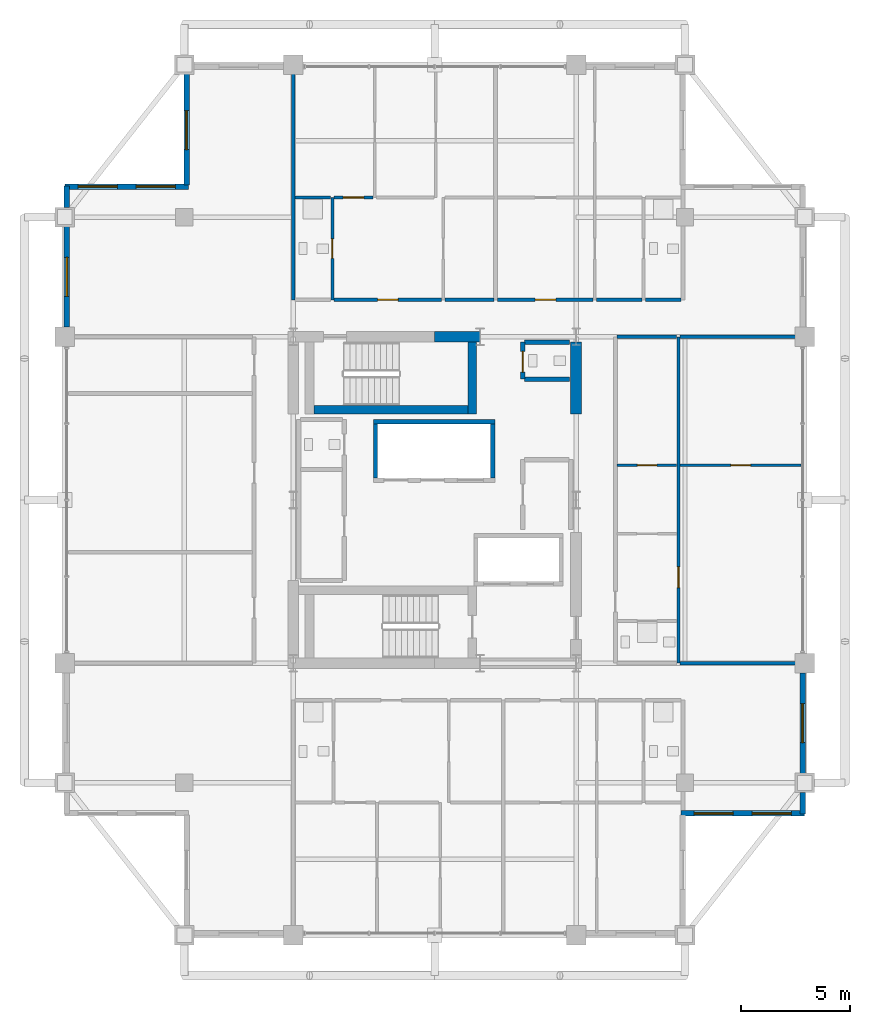
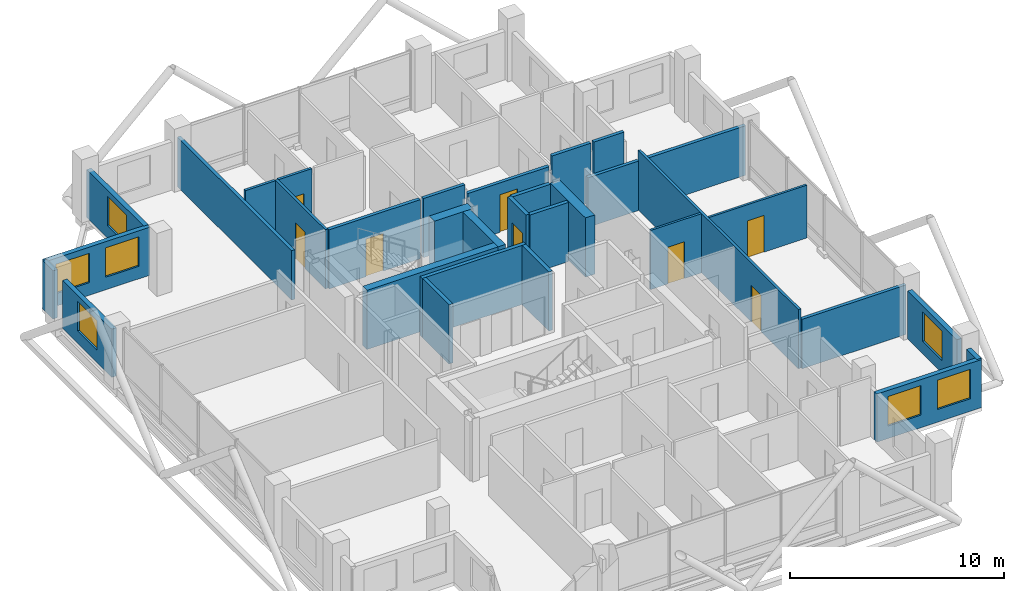
# One storey, part 21 of 24: 32 walls, 8 doors, 7 windows, 15 openings.
"""IFC4 building model written with IfcOpenShell, lengths in metres."""

from ifc_helpers import new_model, si_unit, direction, frame, frame_2d, origin, place, context, subcontext, project, spatial, rectangle, extrude, material, layer, layer_set, type_object, element, fill, save


model = new_model("IFC4")

# Units and contexts
model_context = context("Model", 3, precision=1e-05, world=origin(), true_north=direction((0.0, 1.0)))
body_context = subcontext(model_context, "Body", "Model", "MODEL_VIEW")
ifc_project = project(units=[si_unit("LENGTHUNIT", "METRE"), si_unit("AREAUNIT", "SQUARE_METRE"), si_unit("VOLUMEUNIT", "CUBIC_METRE"), si_unit("PLANEANGLEUNIT", "RADIAN"), si_unit("MASSUNIT", "GRAM", prefix="KILO")], contexts=[model_context])

# Site, building, storey
site_placement = place(None, origin())
site = spatial("IfcSite", under=ifc_project, at=site_placement, CompositionType="ELEMENT")
building_placement = place(site_placement, origin())
building = spatial("IfcBuilding", under=site, at=building_placement, Name="Barlavira Tower and Art Museum", CompositionType="ELEMENT")
storey_placement = place(building_placement, frame((0.0, 0.0, 240.300048828125)))
storey = spatial("IfcBuildingStorey", under=building, at=storey_placement, Name="L62", CompositionType="ELEMENT", Elevation=240.300048828125)

# Wall, opening, door
ifc_material_1 = material(Name="Gypsum acoustic stud partition", Category="gypsum")
ifc_layer_1 = layer(ifc_material_1, 0.1201171875, Name="Gypsum acoustic stud partition")
ifc_layer_set_1 = layer_set([ifc_layer_1], Name="Gypsum acoustic stud partition")
wall_type_1 = type_object("IfcWallType", Name="Apartment Internal Acoustic Partition 120", PredefinedType="PARTITIONING", material=ifc_layer_set_1)
wall_1_placement = place(storey_placement, frame((8.3798828125, 1.60009765625, 0.0), z_axis=(0.0, 0.0, 1.0), x_axis=(1.0, 0.0, 0.0)))
wall_1 = element("IfcWall", 1, at=wall_1_placement, inside=storey, type_object=wall_type_1, Name="L62 Partition Wall 48", PredefinedType="PARTITIONING", context=body_context, shape_type="SweptSolid", body=[
    extrude(rectangle(XDim=2.740234375, YDim=0.1201171875, at=frame_2d((1.3701171875, 0.0))), origin(), (0.0, 0.0, 1.0), 3.3798828125),
])
opening_1_placement = place(wall_1_placement, frame((0.929931640625, 0.0, 0.0)))
opening_1 = element("IfcOpeningElement", 2, at=opening_1_placement, cuts=wall_1, Name="Opening D-01", PredefinedType="OPENING", context=body_context, shape_type="SweptSolid", body=[
    extrude(rectangle(XDim=0.89990234375, YDim=2.10009765625, at=frame_2d((0.449951171875, 1.050048828125))), frame((0.0, 0.070068359375, 0.0), z_axis=(0.0, -1.0, 0.0), x_axis=(1.0, 0.0, 0.0)), (0.0, 0.0, 1.0), 0.14013671875),
])
ifc_material_2 = material(Name="Engineered coastal hardwood", Category="wood")
door_type_1 = type_object("IfcDoorType", Name="Internal Bedroom Timber Flush Door 900x2100", OperationType="NOTDEFINED", PredefinedType="DOOR", material=ifc_material_2)
door_1_placement = place(opening_1_placement, origin())
door_1 = element("IfcDoor", 3, at=door_1_placement, inside=storey, type_object=door_type_1, Name="Apartment E1 Walk-In Dressing Room Door", OperationType="SINGLE_SWING_LEFT", OverallHeight=2.10009765625, OverallWidth=0.89990234375, PredefinedType="DOOR", context=body_context, shape_type="SweptSolid", body=[
    extrude(rectangle(XDim=0.89990234375, YDim=2.10009765625, at=frame_2d((0.449951171875, 1.050048828125))), frame((0.0, 0.02490234375, 0.0), z_axis=(0.0, -1.0, 0.0), x_axis=(1.0, 0.0, 0.0)), (0.0, 0.0, 1.0), 0.050048828125),
])
fill(opening_1, door_1)

wall_2_placement = place(storey_placement, frame((11.280029296875, 1.60009765625, 0.0), z_axis=(0.0, 0.0, 1.0), x_axis=(1.0, 0.0, 0.0)))
wall_2 = element("IfcWall", 4, at=wall_2_placement, inside=storey, type_object=wall_type_1, Name="L62 Partition Wall 49", PredefinedType="PARTITIONING", context=body_context, shape_type="SweptSolid", body=[
    extrude(rectangle(XDim=5.5400390625, YDim=0.1201171875, at=frame_2d((2.77001953125, 0.0))), origin(), (0.0, 0.0, 1.0), 3.01806640625),
])
opening_2_placement = place(wall_2_placement, frame((2.330078125, 0.0, 0.0)))
opening_2 = element("IfcOpeningElement", 5, at=opening_2_placement, cuts=wall_2, Name="Opening D-01", PredefinedType="OPENING", context=body_context, shape_type="SweptSolid", body=[
    extrude(rectangle(XDim=0.89990234375, YDim=2.10009765625, at=frame_2d((0.449951171875, 1.050048828125))), frame((0.0, 0.070068359375, 0.0), z_axis=(0.0, -1.0, 0.0), x_axis=(1.0, 0.0, 0.0)), (0.0, 0.0, 1.0), 0.14013671875),
])
door_2_placement = place(opening_2_placement, origin())
door_2 = element("IfcDoor", 6, at=door_2_placement, inside=storey, type_object=door_type_1, Name="Apartment E1 Bedroom 1 Door", OperationType="SINGLE_SWING_LEFT", OverallHeight=2.10009765625, OverallWidth=0.89990234375, PredefinedType="DOOR", context=body_context, shape_type="SweptSolid", body=[
    extrude(rectangle(XDim=0.89990234375, YDim=2.10009765625, at=frame_2d((0.449951171875, 1.050048828125))), frame((0.0, 0.02490234375, 0.0), z_axis=(0.0, -1.0, 0.0), x_axis=(1.0, 0.0, 0.0)), (0.0, 0.0, 1.0), 0.050048828125),
])
fill(opening_2, door_2)

# Walls
ifc_material_3 = material(Name="Concrete C60", Category="concrete")
ifc_layer_2 = layer(ifc_material_3, 0.5, Name="Concrete C60")
ifc_layer_set_2 = layer_set([ifc_layer_2], Name="Concrete C60")
wall_type_2 = type_object("IfcWallType", Name="Core Structural Shear Wall 500 Concrete C60", PredefinedType="SHEAR", material=ifc_layer_set_2)
wall_3_placement = place(storey_placement, frame((0.0, 7.5, 0.0), z_axis=(0.0, 0.0, 1.0), x_axis=(1.0, 0.0, 0.0)))
element("IfcWall", 7, at=wall_3_placement, inside=storey, type_object=wall_type_2, Name="L62 Core Shear Wall CS-EN", PredefinedType="SHEAR", context=body_context, shape_type="SweptSolid", body=[
    extrude(rectangle(XDim=2.080078125, YDim=0.5, at=frame_2d((1.0400390625, 0.0))), origin(), (0.0, 0.0, 1.0), 3.3798828125),
])
wall_4_placement = place(storey_placement, frame((6.5, 3.949951171875, 0.0), z_axis=(0.0, 0.0, 1.0), x_axis=(0.0, 1.0, 0.0)))
element("IfcWall", 8, at=wall_4_placement, inside=storey, type_object=wall_type_2, Name="L62 Core Shear Wall CS-E2", PredefinedType="SHEAR", context=body_context, shape_type="SweptSolid", body=[
    extrude(rectangle(XDim=3.300048828125, YDim=0.5, at=frame_2d((1.64990234375, 0.0))), origin(), (0.0, 0.0, 1.0), 3.3798828125),
])
ifc_material_4 = material(Name="Autoclaved aerated concrete masonry", Category="masonry")
ifc_layer_3 = layer(ifc_material_4, 0.199951171875, Name="Autoclaved aerated concrete masonry")
ifc_layer_set_3 = layer_set([ifc_layer_3], Name="Autoclaved aerated concrete masonry")
wall_type_3 = type_object("IfcWallType", Name="Fire Compartment and Shaft Wall 200", PredefinedType="SOLIDWALL", material=ifc_layer_set_3)
wall_5_placement = place(storey_placement, frame((-2.820068359375, 3.60009765625, 0.0), z_axis=(0.0, 0.0, 1.0), x_axis=(1.0, 0.0, 0.0)))
element("IfcWall", 9, at=wall_5_placement, inside=storey, type_object=wall_type_3, Name="L62 High-Rise & Service Lift Back Wall", PredefinedType="SOLIDWALL", context=body_context, shape_type="SweptSolid", body=[
    extrude(rectangle(XDim=5.580078125, YDim=0.199951171875, at=frame_2d((2.7900390625, 0.0))), origin(), (0.0, 0.0, 1.0), 3.3798828125),
])
for number, where, z_axis, x_axis, name in (
    (10, (-2.719970703125, 1.0, 0.0), (0.0, 0.0, 1.0), (0.0, 1.0, 0.0), "L62 High-Rise & Service Lift West Wall"),
    (11, (2.659912109375, 1.0, 0.0), (0.0, 0.0, 1.0), (0.0, 1.0, 0.0), "L62 High-Rise & Service Lift East Wall"),
):
    element("IfcWall", number, at=place(storey_placement, frame(where, z_axis=z_axis, x_axis=x_axis)), inside=storey, type_object=wall_type_3, Name=name, PredefinedType="SOLIDWALL", context=body_context, shape_type="SweptSolid", body=[
        extrude(rectangle(XDim=2.5, YDim=0.199951171875, at=frame_2d((1.25, 0.0))), origin(), (0.0, 0.0, 1.0), 3.3798828125),
    ])

# Wall, opening, door
wall_6_placement = place(storey_placement, frame((4.050048828125, 5.550048828125, 0.0), z_axis=(0.0, 0.0, 1.0), x_axis=(0.0, 1.0, 0.0)))
wall_6 = element("IfcWall", 12, at=wall_6_placement, inside=storey, type_object=wall_type_3, Name="L62 Partition Wall 17", PredefinedType="SOLIDWALL", context=body_context, shape_type="SweptSolid", body=[
    extrude(rectangle(XDim=1.699951171875, YDim=0.199951171875, at=frame_2d((0.85009765625, 0.0))), origin(), (0.0, 0.0, 1.0), 3.3798828125),
])
opening_3_placement = place(wall_6_placement, frame((0.324951171875, 0.0, 0.0)))
opening_3 = element("IfcOpeningElement", 13, at=opening_3_placement, cuts=wall_6, Name="Opening FD-60", PredefinedType="OPENING", context=body_context, shape_type="SweptSolid", body=[
    extrude(rectangle(XDim=0.949951171875, YDim=2.14990234375, at=frame_2d((0.47509765625, 1.074951171875))), frame((0.0, 0.10986328125, 0.0), z_axis=(0.0, -1.0, 0.0), x_axis=(1.0, 0.0, 0.0)), (0.0, 0.0, 1.0), 0.219970703125),
])
ifc_material_5 = material(Name="Brushed stainless steel", Category="steel")
door_type_2 = type_object("IfcDoorType", Name="Apartment Entrance and Riser Fire Door 950x2150 FD60S", OperationType="NOTDEFINED", PredefinedType="DOOR", material=ifc_material_5)
door_3_placement = place(opening_3_placement, origin())
door_3 = element("IfcDoor", 14, at=door_3_placement, inside=storey, type_object=door_type_2, Name="Core Accessible Washroom Door", OperationType="SINGLE_SWING_RIGHT", OverallHeight=2.14990234375, OverallWidth=0.949951171875, PredefinedType="DOOR", context=body_context, shape_type="SweptSolid", body=[
    extrude(rectangle(XDim=0.949951171875, YDim=2.14990234375, at=frame_2d((0.47509765625, 1.074951171875))), frame((0.0, 0.02490234375, 0.0), z_axis=(0.0, -1.0, 0.0), x_axis=(1.0, 0.0, 0.0)), (0.0, 0.0, 1.0), 0.050048828125),
])
fill(opening_3, door_3)

# Walls
for number, where, z_axis, x_axis, name in (
    (15, (4.1298828125, 5.550048828125, 0.0), (0.0, 0.0, 1.0), (1.0, 0.0, 0.0), "L62 Partition Wall 53"),
    (16, (4.1298828125, 7.25, 0.0), (0.0, 0.0, 1.0), (1.0, 0.0, 0.0), "L62 Partition Wall 54"),
):
    element("IfcWall", number, at=place(storey_placement, frame(where, z_axis=z_axis, x_axis=x_axis)), inside=storey, type_object=wall_type_3, Name=name, PredefinedType="SOLIDWALL", context=body_context, shape_type="SweptSolid", body=[
        extrude(rectangle(XDim=2.070068359375, YDim=0.199951171875, at=frame_2d((1.03515625, 0.0))), origin(), (0.0, 0.0, 1.0), 3.3798828125),
    ])
ifc_layer_4 = layer(ifc_material_1, 0.179931640625, Name="Gypsum acoustic stud partition")
ifc_layer_set_4 = layer_set([ifc_layer_4], Name="Gypsum acoustic stud partition")
wall_type_4 = type_object("IfcWallType", Name="Inter-Tenancy Party Partition Wall 180", PredefinedType="PARTITIONING", material=ifc_layer_set_4)
wall_7_placement = place(storey_placement, frame((-6.5, 9.199951171875, 0.0), z_axis=(0.0, 0.0, 1.0), x_axis=(0.0, 1.0, 0.0)))
element("IfcWall", 17, at=wall_7_placement, inside=storey, type_object=wall_type_4, Name="L62 Partition Wall 3", PredefinedType="PARTITIONING", context=body_context, shape_type="SweptSolid", body=[
    extrude(rectangle(XDim=10.699951171875, YDim=0.179931640625, at=frame_2d((5.35009765625, 0.0))), origin(), (0.0, 0.0, 1.0), 2.825927734375),
])
wall_8_placement = place(storey_placement, frame((11.280029296875, -7.5, 0.0), z_axis=(0.0, 0.0, 1.0), x_axis=(1.0, 0.0, 0.0)))
element("IfcWall", 18, at=wall_8_placement, inside=storey, type_object=wall_type_4, Name="L62 Partition Wall 42", PredefinedType="PARTITIONING", context=body_context, shape_type="SweptSolid", body=[
    extrude(rectangle(XDim=5.619873046875, YDim=0.179931640625, at=frame_2d((2.81005859375, 0.0))), origin(), (0.0, 0.0, 1.0), 2.825927734375),
])
wall_9_placement = place(storey_placement, frame((8.3798828125, 7.5, 0.0), z_axis=(0.0, 0.0, 1.0), x_axis=(1.0, 0.0, 0.0)))
element("IfcWall", 19, at=wall_9_placement, inside=storey, type_object=wall_type_4, Name="L62 Partition Wall 56", PredefinedType="PARTITIONING", context=body_context, shape_type="SweptSolid", body=[
    extrude(rectangle(XDim=2.740234375, YDim=0.179931640625, at=frame_2d((1.3701171875, 0.0))), origin(), (0.0, 0.0, 1.0), 2.825927734375),
])
wall_10_placement = place(storey_placement, frame((11.280029296875, 7.5, 0.0), z_axis=(0.0, 0.0, 1.0), x_axis=(1.0, 0.0, 0.0)))
element("IfcWall", 20, at=wall_10_placement, inside=storey, type_object=wall_type_4, Name="L62 Partition Wall 57", PredefinedType="PARTITIONING", context=body_context, shape_type="SweptSolid", body=[
    extrude(rectangle(XDim=5.619873046875, YDim=0.179931640625, at=frame_2d((2.81005859375, 0.0))), origin(), (0.0, 0.0, 1.0), 2.825927734375),
])

# Wall, opening, door
wall_11_placement = place(storey_placement, frame((-4.6201171875, 9.199951171875, 0.0), z_axis=(0.0, 0.0, 1.0), x_axis=(1.0, 0.0, 0.0)))
wall_11 = element("IfcWall", 21, at=wall_11_placement, inside=storey, type_object=wall_type_4, Name="L62 Partition Wall 59", PredefinedType="PARTITIONING", context=body_context, shape_type="SweptSolid", body=[
    extrude(rectangle(XDim=4.940185546875, YDim=0.179931640625, at=frame_2d((2.47021484375, 0.0))), origin(), (0.0, 0.0, 1.0), 3.3798828125),
])
opening_4_placement = place(wall_11_placement, frame((1.9951171875, 0.0, 0.0)))
opening_4 = element("IfcOpeningElement", 22, at=opening_4_placement, cuts=wall_11, Name="Opening FD-60", PredefinedType="OPENING", context=body_context, shape_type="SweptSolid", body=[
    extrude(rectangle(XDim=0.949951171875, YDim=2.14990234375, at=frame_2d((0.47509765625, 1.074951171875))), frame((0.0, 0.10009765625, 0.0), z_axis=(0.0, -1.0, 0.0), x_axis=(1.0, 0.0, 0.0)), (0.0, 0.0, 1.0), 0.199951171875),
])
door_4_placement = place(opening_4_placement, origin())
door_4 = element("IfcDoor", 23, at=door_4_placement, inside=storey, type_object=door_type_2, Name="Apartment Entrance Hall N1 Door", OperationType="SINGLE_SWING_LEFT", OverallHeight=2.14990234375, OverallWidth=0.949951171875, PredefinedType="DOOR", context=body_context, shape_type="SweptSolid", body=[
    extrude(rectangle(XDim=0.949951171875, YDim=2.14990234375, at=frame_2d((0.47509765625, 1.074951171875))), frame((0.0, 0.02490234375, 0.0), z_axis=(0.0, -1.0, 0.0), x_axis=(1.0, 0.0, 0.0)), (0.0, 0.0, 1.0), 0.050048828125),
])
fill(opening_4, door_4)

# Wall
wall_12_placement = place(storey_placement, frame((0.47998046875, 9.199951171875, 0.0), z_axis=(0.0, 0.0, 1.0), x_axis=(1.0, 0.0, 0.0)))
element("IfcWall", 24, at=wall_12_placement, inside=storey, type_object=wall_type_4, Name="L62 Partition Wall 60", PredefinedType="PARTITIONING", context=body_context, shape_type="SweptSolid", body=[
    extrude(rectangle(XDim=2.239990234375, YDim=0.179931640625, at=frame_2d((1.1201171875, 0.0))), origin(), (0.0, 0.0, 1.0), 3.3798828125),
])

# Wall, opening, door
wall_13_placement = place(storey_placement, frame((2.8798828125, 9.199951171875, 0.0), z_axis=(0.0, 0.0, 1.0), x_axis=(1.0, 0.0, 0.0)))
wall_13 = element("IfcWall", 25, at=wall_13_placement, inside=storey, type_object=wall_type_4, Name="L62 Partition Wall 61", PredefinedType="PARTITIONING", context=body_context, shape_type="SweptSolid", body=[
    extrude(rectangle(XDim=4.39013671875, YDim=0.179931640625, at=frame_2d((2.195068359375, 0.0))), origin(), (0.0, 0.0, 1.0), 2.825927734375),
])
opening_5_placement = place(wall_13_placement, frame((1.735107421875, 0.0, 0.0)))
opening_5 = element("IfcOpeningElement", 26, at=opening_5_placement, cuts=wall_13, Name="Opening FD-60", PredefinedType="OPENING", context=body_context, shape_type="SweptSolid", body=[
    extrude(rectangle(XDim=0.949951171875, YDim=2.14990234375, at=frame_2d((0.47509765625, 1.074951171875))), frame((0.0, 0.10009765625, 0.0), z_axis=(0.0, -1.0, 0.0), x_axis=(1.0, 0.0, 0.0)), (0.0, 0.0, 1.0), 0.199951171875),
])
door_5_placement = place(opening_5_placement, origin())
door_5 = element("IfcDoor", 27, at=door_5_placement, inside=storey, type_object=door_type_2, Name="Apartment Entrance Hall N2 Door", OperationType="SINGLE_SWING_RIGHT", OverallHeight=2.14990234375, OverallWidth=0.949951171875, PredefinedType="DOOR", context=body_context, shape_type="SweptSolid", body=[
    extrude(rectangle(XDim=0.949951171875, YDim=2.14990234375, at=frame_2d((0.47509765625, 1.074951171875))), frame((0.0, 0.02490234375, 0.0), z_axis=(0.0, -1.0, 0.0), x_axis=(1.0, 0.0, 0.0)), (0.0, 0.0, 1.0), 0.050048828125),
])
fill(opening_5, door_5)

# Walls
wall_14_placement = place(storey_placement, frame((7.429931640625, 9.199951171875, 0.0), z_axis=(0.0, 0.0, 1.0), x_axis=(1.0, 0.0, 0.0)))
element("IfcWall", 28, at=wall_14_placement, inside=storey, type_object=wall_type_4, Name="L62 Partition Wall 62", PredefinedType="PARTITIONING", context=body_context, shape_type="SweptSolid", body=[
    extrude(rectangle(XDim=2.090087890625, YDim=0.179931640625, at=frame_2d((1.044921875, 0.0))), origin(), (0.0, 0.0, 1.0), 3.3798828125),
])
wall_15_placement = place(storey_placement, frame((9.679931640625, 9.199951171875, 0.0), z_axis=(0.0, 0.0, 1.0), x_axis=(1.0, 0.0, 0.0)))
element("IfcWall", 29, at=wall_15_placement, inside=storey, type_object=wall_type_4, Name="L62 Partition Wall 63", PredefinedType="PARTITIONING", context=body_context, shape_type="SweptSolid", body=[
    extrude(rectangle(XDim=1.64013671875, YDim=0.179931640625, at=frame_2d((0.820068359375, 0.0))), origin(), (0.0, 0.0, 1.0), 3.3798828125),
])

# Wall, opening, door
ifc_layer_5 = layer(ifc_material_1, 0.139892578125, Name="Gypsum acoustic stud partition")
ifc_layer_set_5 = layer_set([ifc_layer_5], Name="Gypsum acoustic stud partition")
wall_type_5 = type_object("IfcWallType", Name="Moisture-Resistant Bathroom Partition 140", PredefinedType="PARTITIONING", material=ifc_layer_set_5)
wall_16_placement = place(storey_placement, frame((-4.699951171875, 9.199951171875, 0.0), z_axis=(0.0, 0.0, 1.0), x_axis=(0.0, 1.0, 0.0)))
wall_16 = element("IfcWall", 30, at=wall_16_placement, inside=storey, type_object=wall_type_5, Name="L62 Partition Wall 5", PredefinedType="PARTITIONING", context=body_context, shape_type="SweptSolid", body=[
    extrude(rectangle(XDim=4.699951171875, YDim=0.139892578125, at=frame_2d((2.35009765625, 0.0))), origin(), (0.0, 0.0, 1.0), 3.3798828125),
])
opening_6_placement = place(wall_16_placement, frame((1.89990234375, 0.0, 0.0)))
opening_6 = element("IfcOpeningElement", 31, at=opening_6_placement, cuts=wall_16, Name="Opening D-WC", PredefinedType="OPENING", context=body_context, shape_type="SweptSolid", body=[
    extrude(rectangle(XDim=0.89990234375, YDim=2.10009765625, at=frame_2d((0.449951171875, 1.050048828125))), frame((0.0, 0.080078125, 0.0), z_axis=(0.0, -1.0, 0.0), x_axis=(1.0, 0.0, 0.0)), (0.0, 0.0, 1.0), 0.159912109375),
])
door_type_3 = type_object("IfcDoorType", Name="Accessible Bathroom Flush Door 900x2100", OperationType="NOTDEFINED", PredefinedType="DOOR", material=ifc_material_2)
door_6_placement = place(opening_6_placement, origin())
door_6 = element("IfcDoor", 32, at=door_6_placement, inside=storey, type_object=door_type_3, Name="Apartment N1 Hall Bathroom Door", OperationType="SINGLE_SWING_RIGHT", OverallHeight=2.10009765625, OverallWidth=0.89990234375, PredefinedType="DOOR", context=body_context, shape_type="SweptSolid", body=[
    extrude(rectangle(XDim=0.89990234375, YDim=2.10009765625, at=frame_2d((0.449951171875, 1.050048828125))), frame((0.0, 0.02490234375, 0.0), z_axis=(0.0, -1.0, 0.0), x_axis=(1.0, 0.0, 0.0)), (0.0, 0.0, 1.0), 0.050048828125),
])
fill(opening_6, door_6)

wall_17_placement = place(storey_placement, frame((11.199951171875, -7.5, 0.0), z_axis=(0.0, 0.0, 1.0), x_axis=(0.0, 1.0, 0.0)))
wall_17 = element("IfcWall", 33, at=wall_17_placement, inside=storey, type_object=wall_type_5, Name="L62 Partition Wall 24", PredefinedType="PARTITIONING", context=body_context, shape_type="SweptSolid", body=[
    extrude(rectangle(XDim=15.0, YDim=0.139892578125, at=frame_2d((7.5, 0.0))), origin(), (0.0, 0.0, 1.0), 3.3798828125),
])
opening_7_placement = place(wall_17_placement, frame((3.47509765625, 0.0, 0.0)))
opening_7 = element("IfcOpeningElement", 34, at=opening_7_placement, cuts=wall_17, Name="Opening D-02", PredefinedType="OPENING", context=body_context, shape_type="SweptSolid", body=[
    extrude(rectangle(XDim=0.949951171875, YDim=2.10009765625, at=frame_2d((0.47509765625, 1.050048828125))), frame((0.0, 0.080078125, 0.0), z_axis=(0.0, -1.0, 0.0), x_axis=(1.0, 0.0, 0.0)), (0.0, 0.0, 1.0), 0.159912109375),
])
door_type_4 = type_object("IfcDoorType", Name="Living and Salon Glazed-Leaf Door 950x2100", OperationType="NOTDEFINED", PredefinedType="DOOR", material=ifc_material_2)
door_7_placement = place(opening_7_placement, origin())
door_7 = element("IfcDoor", 35, at=door_7_placement, inside=storey, type_object=door_type_4, Name="Apartment E1 Living Lounge Door", OperationType="SINGLE_SWING_RIGHT", OverallHeight=2.10009765625, OverallWidth=0.949951171875, PredefinedType="DOOR", context=body_context, shape_type="SweptSolid", body=[
    extrude(rectangle(XDim=0.949951171875, YDim=2.10009765625, at=frame_2d((0.47509765625, 1.050048828125))), frame((0.0, 0.02490234375, 0.0), z_axis=(0.0, -1.0, 0.0), x_axis=(1.0, 0.0, 0.0)), (0.0, 0.0, 1.0), 0.050048828125),
])
fill(opening_7, door_7)

# Wall
wall_18_placement = place(storey_placement, frame((-6.419921875, 13.89990234375, 0.0), z_axis=(0.0, 0.0, 1.0), x_axis=(1.0, 0.0, 0.0)))
element("IfcWall", 36, at=wall_18_placement, inside=storey, type_object=wall_type_5, Name="L62 Partition Wall 64", PredefinedType="PARTITIONING", context=body_context, shape_type="SweptSolid", body=[
    extrude(rectangle(XDim=1.639892578125, YDim=0.139892578125, at=frame_2d((0.81982421875, 0.0))), origin(), (0.0, 0.0, 1.0), 3.3798828125),
])

# Wall, opening, door
wall_19_placement = place(storey_placement, frame((-4.6201171875, 13.89990234375, 0.0), z_axis=(0.0, 0.0, 1.0), x_axis=(1.0, 0.0, 0.0)))
wall_19 = element("IfcWall", 37, at=wall_19_placement, inside=storey, type_object=wall_type_5, Name="L62 Partition Wall 65", PredefinedType="PARTITIONING", context=body_context, shape_type="SweptSolid", body=[
    extrude(rectangle(XDim=1.7900390625, YDim=0.139892578125, at=frame_2d((0.89501953125, 0.0))), origin(), (0.0, 0.0, 1.0), 3.3798828125),
])
opening_8_placement = place(wall_19_placement, frame((0.4150390625, 0.0, 0.0)))
opening_8 = element("IfcOpeningElement", 38, at=opening_8_placement, cuts=wall_19, Name="Opening D-02", PredefinedType="OPENING", context=body_context, shape_type="SweptSolid", body=[
    extrude(rectangle(XDim=0.949951171875, YDim=2.10009765625, at=frame_2d((0.47509765625, 1.050048828125))), frame((0.0, 0.080078125, 0.0), z_axis=(0.0, -1.0, 0.0), x_axis=(1.0, 0.0, 0.0)), (0.0, 0.0, 1.0), 0.159912109375),
])
door_8_placement = place(opening_8_placement, origin())
door_8 = element("IfcDoor", 39, at=door_8_placement, inside=storey, type_object=door_type_4, Name="Apartment N1 Living Lounge Door", OperationType="SINGLE_SWING_LEFT", OverallHeight=2.10009765625, OverallWidth=0.949951171875, PredefinedType="DOOR", context=body_context, shape_type="SweptSolid", body=[
    extrude(rectangle(XDim=0.949951171875, YDim=2.10009765625, at=frame_2d((0.47509765625, 1.050048828125))), frame((0.0, 0.02490234375, 0.0), z_axis=(0.0, -1.0, 0.0), x_axis=(1.0, 0.0, 0.0)), (0.0, 0.0, 1.0), 0.050048828125),
])
fill(opening_8, door_8)

# Wall
ifc_material_6 = material(Name="Precast concrete C40", Category="concrete")
ifc_layer_6 = layer(ifc_material_6, 0.25, Name="Precast concrete C40")
ifc_layer_set_6 = layer_set([ifc_layer_6], Name="Precast concrete C40")
wall_type_6 = type_object("IfcWallType", Name="Notched Corner Spandrel Wall 250 Precast Concrete C40", PredefinedType="SOLIDWALL", material=ifc_layer_set_6)
wall_20_placement = place(storey_placement, frame((-16.89990234375, 14.425048828125, 0.0), z_axis=(0.0, 0.0, 1.0), x_axis=(0.0, -1.0, 0.0)))
element("IfcWall", 40, at=wall_20_placement, inside=storey, type_object=wall_type_6, Name="L62 Coastal Facade Pier Wall CW4-L62-W-1", PredefinedType="SOLIDWALL", context=body_context, shape_type="SweptSolid", body=[
    extrude(rectangle(XDim=0.97998046875, YDim=0.25, at=frame_2d((0.489990234375, 0.0))), origin(), (0.0, 0.0, 1.0), 2.748046875),
])

# Wall, opening, window
wall_21_placement = place(storey_placement, frame((-16.89990234375, 12.554931640625, 0.0), z_axis=(0.0, 0.0, 1.0), x_axis=(0.0, -1.0, 0.0)))
wall_21 = element("IfcWall", 41, at=wall_21_placement, inside=storey, type_object=wall_type_6, Name="L62 Coastal Facade Pier Wall CW4-L62-W-2", PredefinedType="SOLIDWALL", context=body_context, shape_type="SweptSolid", body=[
    extrude(rectangle(XDim=4.60986328125, YDim=0.25, at=frame_2d((2.304931640625, 0.0))), origin(), (0.0, 0.0, 1.0), 2.748046875),
])
opening_9_placement = place(wall_21_placement, frame((1.405029296875, 0.0, 0.719970703125)))
opening_9 = element("IfcOpeningElement", 42, at=opening_9_placement, cuts=wall_21, Name="Opening WN-01", PredefinedType="OPENING", context=body_context, shape_type="SweptSolid", body=[
    extrude(rectangle(XDim=1.800048828125, YDim=1.679931640625, at=frame_2d((0.89990234375, 0.83984375))), frame((0.0, 0.135009765625, 0.0), z_axis=(0.0, -1.0, 0.0), x_axis=(1.0, 0.0, 0.0)), (0.0, 0.0, 1.0), 0.27001953125),
])
ifc_material_7 = material(Name="Low-iron coastal laminated glass", Category="glass")
window_type = type_object("IfcWindowType", Name="Recessed Notch Corner Punch Window 1800x1680", PartitioningType="SINGLE_PANEL", PredefinedType="WINDOW", material=ifc_material_7)
window_1_placement = place(opening_9_placement, origin())
window_1 = element("IfcWindow", 43, at=window_1_placement, inside=storey, type_object=window_type, Name="L62 Punched Facade Window EWP-CW4-L62-W-2-1", OverallHeight=1.679931640625, OverallWidth=1.800048828125, PartitioningType="SINGLE_PANEL", PredefinedType="WINDOW", context=body_context, shape_type="SweptSolid", body=[
    extrude(rectangle(XDim=1.800048828125, YDim=1.679931640625, at=frame_2d((0.89990234375, 0.83984375))), frame((0.0, 0.030029296875, 0.0), z_axis=(0.0, -1.0, 0.0), x_axis=(1.0, 0.0, 0.0)), (0.0, 0.0, 1.0), 0.06005859375),
])
fill(opening_9, window_1)

# Wall
wall_22_placement = place(storey_placement, frame((16.89990234375, -14.425048828125, 0.0), z_axis=(0.0, 0.0, 1.0), x_axis=(0.0, 1.0, 0.0)))
element("IfcWall", 44, at=wall_22_placement, inside=storey, type_object=wall_type_6, Name="L62 Coastal Facade Pier Wall CW4-L62-E-1", PredefinedType="SOLIDWALL", context=body_context, shape_type="SweptSolid", body=[
    extrude(rectangle(XDim=0.97998046875, YDim=0.25, at=frame_2d((0.489990234375, 0.0))), origin(), (0.0, 0.0, 1.0), 2.748046875),
])

# Wall, opening, window
wall_23_placement = place(storey_placement, frame((16.89990234375, -12.554931640625, 0.0), z_axis=(0.0, 0.0, 1.0), x_axis=(0.0, 1.0, 0.0)))
wall_23 = element("IfcWall", 45, at=wall_23_placement, inside=storey, type_object=wall_type_6, Name="L62 Coastal Facade Pier Wall CW4-L62-E-2", PredefinedType="SOLIDWALL", context=body_context, shape_type="SweptSolid", body=[
    extrude(rectangle(XDim=4.60986328125, YDim=0.25, at=frame_2d((2.304931640625, 0.0))), origin(), (0.0, 0.0, 1.0), 2.748046875),
])
opening_10_placement = place(wall_23_placement, frame((1.405029296875, 0.0, 0.719970703125)))
opening_10 = element("IfcOpeningElement", 46, at=opening_10_placement, cuts=wall_23, Name="Opening WN-01", PredefinedType="OPENING", context=body_context, shape_type="SweptSolid", body=[
    extrude(rectangle(XDim=1.800048828125, YDim=1.679931640625, at=frame_2d((0.89990234375, 0.83984375))), frame((0.0, 0.135009765625, 0.0), z_axis=(0.0, -1.0, 0.0), x_axis=(1.0, 0.0, 0.0)), (0.0, 0.0, 1.0), 0.27001953125),
])
window_2_placement = place(opening_10_placement, origin())
window_2 = element("IfcWindow", 47, at=window_2_placement, inside=storey, type_object=window_type, Name="L62 Punched Facade Window EWP-CW4-L62-E-2-1", OverallHeight=1.679931640625, OverallWidth=1.800048828125, PartitioningType="SINGLE_PANEL", PredefinedType="WINDOW", context=body_context, shape_type="SweptSolid", body=[
    extrude(rectangle(XDim=1.800048828125, YDim=1.679931640625, at=frame_2d((0.89990234375, 0.83984375))), frame((0.0, 0.030029296875, 0.0), z_axis=(0.0, -1.0, 0.0), x_axis=(1.0, 0.0, 0.0)), (0.0, 0.0, 1.0), 0.06005859375),
])
fill(opening_10, window_2)

# Wall, openings, windows
wall_24_placement = place(storey_placement, frame((11.320068359375, -14.39990234375, 0.0), z_axis=(0.0, 0.0, 1.0), x_axis=(1.0, 0.0, 0.0)))
wall_24 = element("IfcWall", 48, at=wall_24_placement, inside=storey, type_object=wall_type_6, Name="L62 Notch Corner Wall SE2", PredefinedType="SOLIDWALL", context=body_context, shape_type="SweptSolid", body=[
    extrude(rectangle(XDim=5.659912109375, YDim=0.25, at=frame_2d((2.830078125, 0.0))), origin(), (0.0, 0.0, 1.0), 2.748046875),
])
opening_11_placement = place(wall_24_placement, frame((0.594970703125, 0.0, 0.719970703125)))
opening_11 = element("IfcOpeningElement", 49, at=opening_11_placement, cuts=wall_24, Name="Opening WN-01", PredefinedType="OPENING", context=body_context, shape_type="SweptSolid", body=[
    extrude(rectangle(XDim=1.800048828125, YDim=1.679931640625, at=frame_2d((0.89990234375, 0.83984375))), frame((0.0, 0.135009765625, 0.0), z_axis=(0.0, -1.0, 0.0), x_axis=(1.0, 0.0, 0.0)), (0.0, 0.0, 1.0), 0.27001953125),
])
opening_12_placement = place(wall_24_placement, frame((3.264892578125, 0.0, 0.719970703125)))
opening_12 = element("IfcOpeningElement", 50, at=opening_12_placement, cuts=wall_24, Name="Opening WN-01", PredefinedType="OPENING", context=body_context, shape_type="SweptSolid", body=[
    extrude(rectangle(XDim=1.800048828125, YDim=1.679931640625, at=frame_2d((0.89990234375, 0.83984375))), frame((0.0, 0.135009765625, 0.0), z_axis=(0.0, -1.0, 0.0), x_axis=(1.0, 0.0, 0.0)), (0.0, 0.0, 1.0), 0.27001953125),
])
window_3_placement = place(opening_11_placement, origin())
window_3 = element("IfcWindow", 51, at=window_3_placement, inside=storey, type_object=window_type, Name="L62 Punched Facade Window EW-NTC-L62-SE2-1", OverallHeight=1.679931640625, OverallWidth=1.800048828125, PartitioningType="SINGLE_PANEL", PredefinedType="WINDOW", context=body_context, shape_type="SweptSolid", body=[
    extrude(rectangle(XDim=1.800048828125, YDim=1.679931640625, at=frame_2d((0.89990234375, 0.83984375))), frame((0.0, 0.030029296875, 0.0), z_axis=(0.0, -1.0, 0.0), x_axis=(1.0, 0.0, 0.0)), (0.0, 0.0, 1.0), 0.06005859375),
])
fill(opening_11, window_3)
window_4_placement = place(opening_12_placement, origin())
window_4 = element("IfcWindow", 52, at=window_4_placement, inside=storey, type_object=window_type, Name="L62 Punched Facade Window EW-NTC-L62-SE2-2", OverallHeight=1.679931640625, OverallWidth=1.800048828125, PartitioningType="SINGLE_PANEL", PredefinedType="WINDOW", context=body_context, shape_type="SweptSolid", body=[
    extrude(rectangle(XDim=1.800048828125, YDim=1.679931640625, at=frame_2d((0.89990234375, 0.83984375))), frame((0.0, 0.030029296875, 0.0), z_axis=(0.0, -1.0, 0.0), x_axis=(1.0, 0.0, 0.0)), (0.0, 0.0, 1.0), 0.06005859375),
])
fill(opening_12, window_4)

# Wall, opening, window
wall_25_placement = place(storey_placement, frame((-11.39990234375, 19.820068359375, 0.0), z_axis=(0.0, 0.0, 1.0), x_axis=(0.0, -1.0, 0.0)))
wall_25 = element("IfcWall", 53, at=wall_25_placement, inside=storey, type_object=wall_type_6, Name="L62 Notch Corner Wall NW1", PredefinedType="SOLIDWALL", context=body_context, shape_type="SweptSolid", body=[
    extrude(rectangle(XDim=5.340087890625, YDim=0.25, at=frame_2d((2.669921875, 0.0))), origin(), (0.0, 0.0, 1.0), 2.748046875),
])
opening_13_placement = place(wall_25_placement, frame((1.925048828125, 0.0, 0.719970703125)))
opening_13 = element("IfcOpeningElement", 54, at=opening_13_placement, cuts=wall_25, Name="Opening WN-01", PredefinedType="OPENING", context=body_context, shape_type="SweptSolid", body=[
    extrude(rectangle(XDim=1.800048828125, YDim=1.679931640625, at=frame_2d((0.89990234375, 0.83984375))), frame((0.0, 0.135009765625, 0.0), z_axis=(0.0, -1.0, 0.0), x_axis=(1.0, 0.0, 0.0)), (0.0, 0.0, 1.0), 0.27001953125),
])
window_5_placement = place(opening_13_placement, origin())
window_5 = element("IfcWindow", 55, at=window_5_placement, inside=storey, type_object=window_type, Name="L62 Punched Facade Window EW-NTC-L62-NW1-1", OverallHeight=1.679931640625, OverallWidth=1.800048828125, PartitioningType="SINGLE_PANEL", PredefinedType="WINDOW", context=body_context, shape_type="SweptSolid", body=[
    extrude(rectangle(XDim=1.800048828125, YDim=1.679931640625, at=frame_2d((0.89990234375, 0.83984375))), frame((0.0, 0.030029296875, 0.0), z_axis=(0.0, -1.0, 0.0), x_axis=(1.0, 0.0, 0.0)), (0.0, 0.0, 1.0), 0.06005859375),
])
fill(opening_13, window_5)

# Wall, openings, windows
wall_26_placement = place(storey_placement, frame((-11.320068359375, 14.39990234375, 0.0), z_axis=(0.0, 0.0, 1.0), x_axis=(-1.0, 0.0, 0.0)))
wall_26 = element("IfcWall", 56, at=wall_26_placement, inside=storey, type_object=wall_type_6, Name="L62 Notch Corner Wall NW2", PredefinedType="SOLIDWALL", context=body_context, shape_type="SweptSolid", body=[
    extrude(rectangle(XDim=5.659912109375, YDim=0.25, at=frame_2d((2.830078125, 0.0))), origin(), (0.0, 0.0, 1.0), 2.748046875),
])
opening_14_placement = place(wall_26_placement, frame((0.594970703125, 0.0, 0.719970703125)))
opening_14 = element("IfcOpeningElement", 57, at=opening_14_placement, cuts=wall_26, Name="Opening WN-01", PredefinedType="OPENING", context=body_context, shape_type="SweptSolid", body=[
    extrude(rectangle(XDim=1.800048828125, YDim=1.679931640625, at=frame_2d((0.89990234375, 0.83984375))), frame((0.0, 0.135009765625, 0.0), z_axis=(0.0, -1.0, 0.0), x_axis=(1.0, 0.0, 0.0)), (0.0, 0.0, 1.0), 0.27001953125),
])
opening_15_placement = place(wall_26_placement, frame((3.264892578125, 0.0, 0.719970703125)))
opening_15 = element("IfcOpeningElement", 58, at=opening_15_placement, cuts=wall_26, Name="Opening WN-01", PredefinedType="OPENING", context=body_context, shape_type="SweptSolid", body=[
    extrude(rectangle(XDim=1.800048828125, YDim=1.679931640625, at=frame_2d((0.89990234375, 0.83984375))), frame((0.0, 0.135009765625, 0.0), z_axis=(0.0, -1.0, 0.0), x_axis=(1.0, 0.0, 0.0)), (0.0, 0.0, 1.0), 0.27001953125),
])
window_6_placement = place(opening_14_placement, origin())
window_6 = element("IfcWindow", 59, at=window_6_placement, inside=storey, type_object=window_type, Name="L62 Punched Facade Window EW-NTC-L62-NW2-1", OverallHeight=1.679931640625, OverallWidth=1.800048828125, PartitioningType="SINGLE_PANEL", PredefinedType="WINDOW", context=body_context, shape_type="SweptSolid", body=[
    extrude(rectangle(XDim=1.800048828125, YDim=1.679931640625, at=frame_2d((0.89990234375, 0.83984375))), frame((0.0, 0.030029296875, 0.0), z_axis=(0.0, -1.0, 0.0), x_axis=(1.0, 0.0, 0.0)), (0.0, 0.0, 1.0), 0.06005859375),
])
fill(opening_14, window_6)
window_7_placement = place(opening_15_placement, origin())
window_7 = element("IfcWindow", 60, at=window_7_placement, inside=storey, type_object=window_type, Name="L62 Punched Facade Window EW-NTC-L62-NW2-2", OverallHeight=1.679931640625, OverallWidth=1.800048828125, PartitioningType="SINGLE_PANEL", PredefinedType="WINDOW", context=body_context, shape_type="SweptSolid", body=[
    extrude(rectangle(XDim=1.800048828125, YDim=1.679931640625, at=frame_2d((0.89990234375, 0.83984375))), frame((0.0, 0.030029296875, 0.0), z_axis=(0.0, -1.0, 0.0), x_axis=(1.0, 0.0, 0.0)), (0.0, 0.0, 1.0), 0.06005859375),
])
fill(opening_15, window_7)

# Walls
ifc_material_8 = material(Name="Concrete C55", Category="concrete")
ifc_layer_7 = layer(ifc_material_8, 0.39990234375, Name="Concrete C55")
ifc_layer_set_7 = layer_set([ifc_layer_7], Name="Concrete C55")
wall_type_7 = type_object("IfcWallType", Name="Upper Core Shear Wall 400 Concrete C55", PredefinedType="SHEAR", material=ifc_layer_set_7)
wall_27_placement = place(storey_placement, frame((-5.550048828125, 4.14990234375, 0.0), z_axis=(0.0, 0.0, 1.0), x_axis=(1.0, 0.0, 0.0)))
element("IfcWall", 61, at=wall_27_placement, inside=storey, type_object=wall_type_7, Name="L62 ST-T2 South Shaft Wall", PredefinedType="SHEAR", context=body_context, shape_type="SweptSolid", body=[
    extrude(rectangle(XDim=7.080078125, YDim=0.39990234375, at=frame_2d((3.5400390625, 0.0))), origin(), (0.0, 0.0, 1.0), 3.3798828125),
])
wall_28_placement = place(storey_placement, frame((1.72998046875, 3.949951171875, 0.0), z_axis=(0.0, 0.0, 1.0), x_axis=(0.0, 1.0, 0.0)))
element("IfcWall", 62, at=wall_28_placement, inside=storey, type_object=wall_type_7, Name="L62 ST-T2 East Half-Landing Wall", PredefinedType="SHEAR", context=body_context, shape_type="SweptSolid", body=[
    extrude(rectangle(XDim=3.300048828125, YDim=0.39990234375, at=frame_2d((1.64990234375, 0.0))), origin(), (0.0, 0.0, 1.0), 3.3798828125),
])

save(model, "model.ifc")
